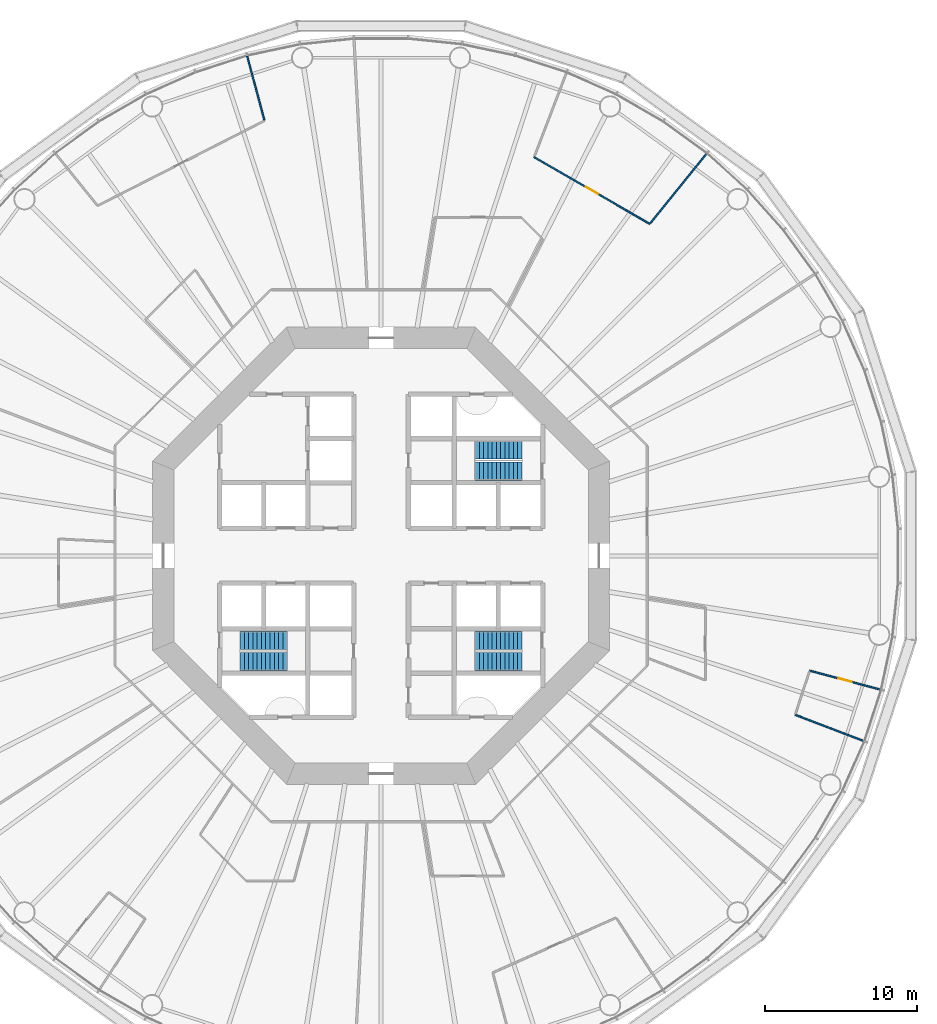
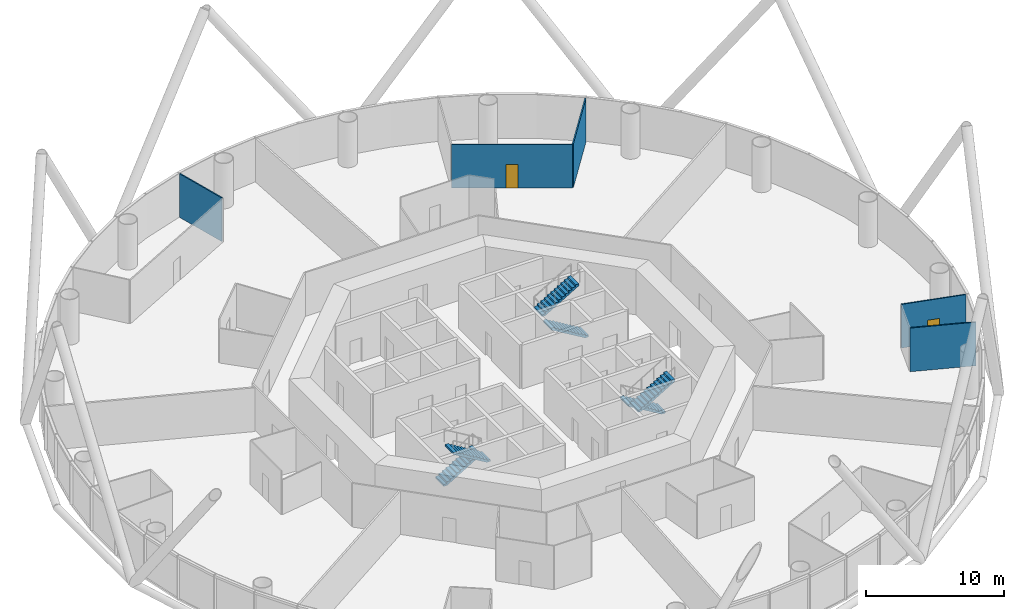
# One storey, part 6 of 13: 6 stair flights, 5 walls, 2 doors, 2 openings, 3 elements without a shape of their own.
"""IFC4 building model written with IfcOpenShell, lengths in metres."""

from ifc_helpers import new_model, si_unit, direction, frame, frame_2d, origin, place, context, subcontext, project, spatial, polyline, rectangle, outline, extrude, material, layer, layer_set, type_object, element, fill, aggregate, save


model = new_model("IFC4")

# Units and contexts
model_context = context("Model", 3, precision=1e-05, world=origin(), true_north=direction((0.0, 1.0)))
body_context = subcontext(model_context, "Body", "Model", "MODEL_VIEW")
ifc_project = project(units=[si_unit("LENGTHUNIT", "METRE"), si_unit("AREAUNIT", "SQUARE_METRE"), si_unit("VOLUMEUNIT", "CUBIC_METRE"), si_unit("PLANEANGLEUNIT", "RADIAN"), si_unit("MASSUNIT", "GRAM", prefix="KILO")], contexts=[model_context])

# Site, building, storey
site_placement = place(None, origin())
site = spatial("IfcSite", under=ifc_project, at=site_placement, CompositionType="ELEMENT")
building_placement = place(site_placement, origin())
building = spatial("IfcBuilding", under=site, at=building_placement, Name="Entoto Ring Tower", CompositionType="ELEMENT")
storey_placement = place(building_placement, frame((0.0, 0.0, 38.0)))
storey = spatial("IfcBuildingStorey", under=building, at=storey_placement, Name="L07", CompositionType="ELEMENT", Elevation=38.0)

# Wall, opening, door
ifc_material_1 = material(Name="Plasterboard on steel studs", Category="steel")
ifc_layer = layer(ifc_material_1, 0.10009765625)
ifc_layer_set = layer_set([ifc_layer], Name="Plasterboard on steel studs")
wall_type = type_object("IfcWallType", Name="Partition 100 mm plasterboard on steel studs", PredefinedType="PARTITIONING", material=ifc_layer_set)
wall_1_placement = place(storey_placement, frame((107.639892578125, 101.783447265625, 0.0), z_axis=(0.0, 0.0, 1.0), x_axis=(-0.86602796149, 0.499995569897, 0.0)))
wall_1 = element("IfcWall", 1, at=wall_1_placement, inside=storey, type_object=wall_type, Name="partition-L07-017", PredefinedType="PARTITIONING", context=body_context, shape_type="SweptSolid", body=[
    extrude(rectangle(XDim=8.76953125, YDim=0.10009765625, at=frame_2d((4.384765625, 0.0))), origin(), (0.0, 0.0, 1.0), 3.85009765625),
])
opening_1_placement = place(wall_1_placement, frame((3.934814453125, 0.0, 0.0)))
opening_1 = element("IfcOpeningElement", 2, at=opening_1_placement, cuts=wall_1, Name="Opening A03-D12", PredefinedType="OPENING", context=body_context, shape_type="SweptSolid", body=[
    extrude(rectangle(XDim=0.89990234375, YDim=2.10009765625, at=frame_2d((0.449951171875, 1.050048828125))), frame((0.0, 0.06005859375, 0.0), z_axis=(0.0, -1.0, 0.0), x_axis=(1.0, 0.0, 0.0)), (0.0, 0.0, 1.0), 0.1201171875),
])
ifc_material_2 = material(Name="Veneered timber door leaf in timber frame", Category="wood")
door_type = type_object("IfcDoorType", Name="Door 900 x 2100 single leaf timber veneer", OperationType="NOTDEFINED", PredefinedType="DOOR", material=ifc_material_2)
door_1_placement = place(opening_1_placement, frame((0.89990234375, 0.0, 0.0), z_axis=(0.0, 0.0, 1.0), x_axis=(-1.0, 0.0, 0.0)))
door_1 = element("IfcDoor", 3, at=door_1_placement, inside=storey, type_object=door_type, Name="Door A03-D12", OperationType="SINGLE_SWING_RIGHT", OverallHeight=2.10009765625, OverallWidth=0.89990234375, PredefinedType="DOOR", context=body_context, shape_type="SweptSolid", body=[
    extrude(rectangle(XDim=0.89990234375, YDim=2.10009765625, at=frame_2d((0.449951171875, 1.050048828125))), frame((0.0, 0.02490234375, 0.0), z_axis=(0.0, -1.0, 0.0), x_axis=(1.0, 0.0, 0.0)), (0.0, 0.0, 1.0), 0.050048828125),
])
fill(opening_1, door_1)

# Wall
wall_2_placement = place(storey_placement, frame((107.6708984375, 101.82177734375, 0.0), z_axis=(0.0, 0.0, 1.0), x_axis=(0.629332439012, 0.777136205055, 0.0)))
element("IfcWall", 4, at=wall_2_placement, inside=storey, type_object=wall_type, Name="partition-L07-019", PredefinedType="PARTITIONING", context=body_context, shape_type="SweptSolid", body=[
    extrude(rectangle(XDim=5.860595703125, YDim=0.10009765625, at=frame_2d((2.93017578125, 0.0))), origin(), (0.0, 0.0, 1.0), 3.85009765625),
])

# Wall, opening, door
wall_3_placement = place(storey_placement, frame((122.783447265625, 71.2158203125, 0.0), z_axis=(0.0, 0.0, 1.0), x_axis=(-0.965935843283, 0.258781658277, 0.0)))
wall_3 = element("IfcWall", 5, at=wall_3_placement, inside=storey, type_object=wall_type, Name="partition-L07-026", PredefinedType="PARTITIONING", context=body_context, shape_type="SweptSolid", body=[
    extrude(rectangle(XDim=4.820068359375, YDim=0.10009765625, at=frame_2d((2.41015625, 0.0))), origin(), (0.0, 0.0, 1.0), 3.85009765625),
])
opening_2_placement = place(wall_3_placement, frame((1.9599609375, 0.0, 0.0)))
opening_2 = element("IfcOpeningElement", 6, at=opening_2_placement, cuts=wall_3, Name="Opening A03-D09", PredefinedType="OPENING", context=body_context, shape_type="SweptSolid", body=[
    extrude(rectangle(XDim=0.89990234375, YDim=2.10009765625, at=frame_2d((0.449951171875, 1.050048828125))), frame((0.0, 0.06005859375, 0.0), z_axis=(0.0, -1.0, 0.0), x_axis=(1.0, 0.0, 0.0)), (0.0, 0.0, 1.0), 0.1201171875),
])
door_2_placement = place(opening_2_placement, origin())
door_2 = element("IfcDoor", 7, at=door_2_placement, inside=storey, type_object=door_type, Name="Door A03-D09", OperationType="SINGLE_SWING_LEFT", OverallHeight=2.10009765625, OverallWidth=0.89990234375, PredefinedType="DOOR", context=body_context, shape_type="SweptSolid", body=[
    extrude(rectangle(XDim=0.89990234375, YDim=2.10009765625, at=frame_2d((0.449951171875, 1.050048828125))), frame((0.0, 0.02490234375, 0.0), z_axis=(0.0, -1.0, 0.0), x_axis=(1.0, 0.0, 0.0)), (0.0, 0.0, 1.0), 0.050048828125),
])
fill(opening_2, door_2)

# Walls
wall_4_placement = place(storey_placement, frame((121.685791015625, 67.8369140625, 0.0), z_axis=(0.0, 0.0, 1.0), x_axis=(-0.933586897857, 0.358351090622, 0.0)))
element("IfcWall", 8, at=wall_4_placement, inside=storey, type_object=wall_type, Name="partition-L07-027", PredefinedType="PARTITIONING", context=body_context, shape_type="SweptSolid", body=[
    extrude(rectangle(XDim=4.820068359375, YDim=0.10009765625, at=frame_2d((2.41015625, 0.0))), origin(), (0.0, 0.0, 1.0), 3.85009765625),
])
wall_5_placement = place(storey_placement, frame((82.336669921875, 108.599853515625, 0.0), z_axis=(0.0, 0.0, 1.0), x_axis=(-0.258788679969, 0.96593396209, 0.0)))
element("IfcWall", 9, at=wall_5_placement, inside=storey, type_object=wall_type, Name="partition-L07-037", PredefinedType="PARTITIONING", context=body_context, shape_type="SweptSolid", body=[
    extrude(rectangle(XDim=4.3310546875, YDim=0.10009765625, at=frame_2d((2.16552734375, 0.0))), origin(), (0.0, 0.0, 1.0), 3.85009765625),
])

# Stair, stair flights
ifc_material_3 = material(Name="Concrete C40/50", Category="concrete")
stair_type = type_object("IfcStairType", Name="Exit stair 1200 mm dog-leg reinforced concrete", PredefinedType="HALF_TURN_STAIR", material=ifc_material_3)
stair_1_placement = place(storey_placement, origin())
stair_1 = element("IfcStair", 10, at=stair_1_placement, inside=storey, type_object=stair_type, Name="Exit stair 1", PredefinedType="HALF_TURN_STAIR")
ifc_material_4 = material(Name="Concrete C40/50", Category="concrete")
stair_flight_type = type_object("IfcStairFlightType", Name="Stair flight 1200 mm reinforced concrete", PredefinedType="STRAIGHT", material=ifc_material_4)
stair_flight_1_placement = place(storey_placement, frame((99.25, 85.550048828125, 0.0), z_axis=(0.0, 0.0, 1.0), x_axis=(-1.0, 0.0, 0.0)))
stair_flight_1 = element("IfcStairFlight", 11, at=stair_flight_1_placement, type_object=stair_flight_type, Name="ST1 flight 1", NumberOfRisers=12, NumberOfTreads=11, PredefinedType="STRAIGHT", RiserHeight=0.166666667, TreadLength=0.28, context=body_context, shape_type="SweptSolid", body=[
    extrude(outline(polyline([(0.0, 0.0), (0.0, 0.166748046875), (0.280029296875, 0.166748046875), (0.280029296875, 0.333251953125), (0.56005859375, 0.333251953125), (0.56005859375, 0.5), (0.840087890625, 0.5), (0.840087890625, 0.666748046875), (1.1201171875, 0.666748046875), (1.1201171875, 0.833251953125), (1.39990234375, 0.833251953125), (1.39990234375, 1.0), (1.679931640625, 1.0), (1.679931640625, 1.166748046875), (1.9599609375, 1.166748046875), (1.9599609375, 1.333251953125), (2.239990234375, 1.333251953125), (2.239990234375, 1.5), (2.52001953125, 1.5), (2.52001953125, 1.666748046875), (2.800048828125, 1.666748046875), (2.800048828125, 1.833251953125), (3.080078125, 1.833251953125), (3.080078125, 2.0), (3.080078125, 1.658935546875), (0.29296875, 0.0), (0.0, 0.0)])), frame((0.0, 0.60009765625, 0.0), z_axis=(0.0, -1.0, 0.0), x_axis=(1.0, 0.0, 0.0)), (0.0, 0.0, 1.0), 1.199951171875),
])
stair_flight_2_placement = place(storey_placement, frame((96.169921875, 86.949951171875, 2.0), z_axis=(0.0, 0.0, 1.0), x_axis=(1.0, 0.0, 0.0)))
stair_flight_2 = element("IfcStairFlight", 12, at=stair_flight_2_placement, type_object=stair_flight_type, Name="ST1 flight 2", NumberOfRisers=12, NumberOfTreads=11, PredefinedType="STRAIGHT", RiserHeight=0.166666667, TreadLength=0.28, context=body_context, shape_type="SweptSolid", body=[
    extrude(outline(polyline([(0.0, 0.0), (0.0, 0.166748046875), (0.280029296875, 0.166748046875), (0.280029296875, 0.333251953125), (0.56005859375, 0.333251953125), (0.56005859375, 0.5), (0.840087890625, 0.5), (0.840087890625, 0.666748046875), (1.1201171875, 0.666748046875), (1.1201171875, 0.833251953125), (1.39990234375, 0.833251953125), (1.39990234375, 1.0), (1.679931640625, 1.0), (1.679931640625, 1.166748046875), (1.9599609375, 1.166748046875), (1.9599609375, 1.333251953125), (2.239990234375, 1.333251953125), (2.239990234375, 1.5), (2.52001953125, 1.5), (2.52001953125, 1.666748046875), (2.800048828125, 1.666748046875), (2.800048828125, 1.833251953125), (3.080078125, 1.833251953125), (3.080078125, 2.0), (3.080078125, 1.658935546875), (0.29296875, 0.0), (0.0, 0.0)])), frame((0.0, 0.60009765625, 0.0), z_axis=(0.0, -1.0, 0.0), x_axis=(1.0, 0.0, 0.0)), (0.0, 0.0, 1.0), 1.199951171875),
])
aggregate(stair_1, [stair_flight_1, stair_flight_2])

stair_2_placement = place(storey_placement, origin())
stair_2 = element("IfcStair", 13, at=stair_2_placement, inside=storey, type_object=stair_type, Name="Exit stair 2", PredefinedType="HALF_TURN_STAIR")
stair_flight_3_placement = place(storey_placement, frame((80.75, 74.449951171875, 0.0), z_axis=(0.0, 0.0, 1.0), x_axis=(1.0, 0.0, 0.0)))
stair_flight_3 = element("IfcStairFlight", 14, at=stair_flight_3_placement, type_object=stair_flight_type, Name="ST2 flight 1", NumberOfRisers=12, NumberOfTreads=11, PredefinedType="STRAIGHT", RiserHeight=0.166666667, TreadLength=0.28, context=body_context, shape_type="SweptSolid", body=[
    extrude(outline(polyline([(0.0, 0.0), (0.0, 0.166748046875), (0.280029296875, 0.166748046875), (0.280029296875, 0.333251953125), (0.56005859375, 0.333251953125), (0.56005859375, 0.5), (0.840087890625, 0.5), (0.840087890625, 0.666748046875), (1.1201171875, 0.666748046875), (1.1201171875, 0.833251953125), (1.39990234375, 0.833251953125), (1.39990234375, 1.0), (1.679931640625, 1.0), (1.679931640625, 1.166748046875), (1.9599609375, 1.166748046875), (1.9599609375, 1.333251953125), (2.239990234375, 1.333251953125), (2.239990234375, 1.5), (2.52001953125, 1.5), (2.52001953125, 1.666748046875), (2.800048828125, 1.666748046875), (2.800048828125, 1.833251953125), (3.080078125, 1.833251953125), (3.080078125, 2.0), (3.080078125, 1.658935546875), (0.29296875, 0.0), (0.0, 0.0)])), frame((0.0, 0.60009765625, 0.0), z_axis=(0.0, -1.0, 0.0), x_axis=(1.0, 0.0, 0.0)), (0.0, 0.0, 1.0), 1.199951171875),
])
stair_flight_4_placement = place(storey_placement, frame((83.830078125, 73.050048828125, 2.0), z_axis=(0.0, 0.0, 1.0), x_axis=(-1.0, 0.0, 0.0)))
stair_flight_4 = element("IfcStairFlight", 15, at=stair_flight_4_placement, type_object=stair_flight_type, Name="ST2 flight 2", NumberOfRisers=12, NumberOfTreads=11, PredefinedType="STRAIGHT", RiserHeight=0.166666667, TreadLength=0.28, context=body_context, shape_type="SweptSolid", body=[
    extrude(outline(polyline([(0.0, 0.0), (0.0, 0.166748046875), (0.280029296875, 0.166748046875), (0.280029296875, 0.333251953125), (0.56005859375, 0.333251953125), (0.56005859375, 0.5), (0.840087890625, 0.5), (0.840087890625, 0.666748046875), (1.1201171875, 0.666748046875), (1.1201171875, 0.833251953125), (1.39990234375, 0.833251953125), (1.39990234375, 1.0), (1.679931640625, 1.0), (1.679931640625, 1.166748046875), (1.9599609375, 1.166748046875), (1.9599609375, 1.333251953125), (2.239990234375, 1.333251953125), (2.239990234375, 1.5), (2.52001953125, 1.5), (2.52001953125, 1.666748046875), (2.800048828125, 1.666748046875), (2.800048828125, 1.833251953125), (3.080078125, 1.833251953125), (3.080078125, 2.0), (3.080078125, 1.658935546875), (0.29296875, 0.0), (0.0, 0.0)])), frame((0.0, 0.60009765625, 0.0), z_axis=(0.0, -1.0, 0.0), x_axis=(1.0, 0.0, 0.0)), (0.0, 0.0, 1.0), 1.199951171875),
])
aggregate(stair_2, [stair_flight_3, stair_flight_4])

stair_3_placement = place(storey_placement, origin())
stair_3 = element("IfcStair", 16, at=stair_3_placement, inside=storey, type_object=stair_type, Name="Exit stair 3", PredefinedType="HALF_TURN_STAIR")
stair_flight_5_placement = place(storey_placement, frame((99.25, 74.449951171875, 0.0), z_axis=(0.0, 0.0, 1.0), x_axis=(-1.0, 0.0, 0.0)))
stair_flight_5 = element("IfcStairFlight", 17, at=stair_flight_5_placement, type_object=stair_flight_type, Name="ST3 flight 1", NumberOfRisers=12, NumberOfTreads=11, PredefinedType="STRAIGHT", RiserHeight=0.166666667, TreadLength=0.28, context=body_context, shape_type="SweptSolid", body=[
    extrude(outline(polyline([(0.0, 0.0), (0.0, 0.166748046875), (0.280029296875, 0.166748046875), (0.280029296875, 0.333251953125), (0.56005859375, 0.333251953125), (0.56005859375, 0.5), (0.840087890625, 0.5), (0.840087890625, 0.666748046875), (1.1201171875, 0.666748046875), (1.1201171875, 0.833251953125), (1.39990234375, 0.833251953125), (1.39990234375, 1.0), (1.679931640625, 1.0), (1.679931640625, 1.166748046875), (1.9599609375, 1.166748046875), (1.9599609375, 1.333251953125), (2.239990234375, 1.333251953125), (2.239990234375, 1.5), (2.52001953125, 1.5), (2.52001953125, 1.666748046875), (2.800048828125, 1.666748046875), (2.800048828125, 1.833251953125), (3.080078125, 1.833251953125), (3.080078125, 2.0), (3.080078125, 1.658935546875), (0.29296875, 0.0), (0.0, 0.0)])), frame((0.0, 0.60009765625, 0.0), z_axis=(0.0, -1.0, 0.0), x_axis=(1.0, 0.0, 0.0)), (0.0, 0.0, 1.0), 1.199951171875),
])
stair_flight_6_placement = place(storey_placement, frame((96.169921875, 73.050048828125, 2.0), z_axis=(0.0, 0.0, 1.0), x_axis=(1.0, 0.0, 0.0)))
stair_flight_6 = element("IfcStairFlight", 18, at=stair_flight_6_placement, type_object=stair_flight_type, Name="ST3 flight 2", NumberOfRisers=12, NumberOfTreads=11, PredefinedType="STRAIGHT", RiserHeight=0.166666667, TreadLength=0.28, context=body_context, shape_type="SweptSolid", body=[
    extrude(outline(polyline([(0.0, 0.0), (0.0, 0.166748046875), (0.280029296875, 0.166748046875), (0.280029296875, 0.333251953125), (0.56005859375, 0.333251953125), (0.56005859375, 0.5), (0.840087890625, 0.5), (0.840087890625, 0.666748046875), (1.1201171875, 0.666748046875), (1.1201171875, 0.833251953125), (1.39990234375, 0.833251953125), (1.39990234375, 1.0), (1.679931640625, 1.0), (1.679931640625, 1.166748046875), (1.9599609375, 1.166748046875), (1.9599609375, 1.333251953125), (2.239990234375, 1.333251953125), (2.239990234375, 1.5), (2.52001953125, 1.5), (2.52001953125, 1.666748046875), (2.800048828125, 1.666748046875), (2.800048828125, 1.833251953125), (3.080078125, 1.833251953125), (3.080078125, 2.0), (3.080078125, 1.658935546875), (0.29296875, 0.0), (0.0, 0.0)])), frame((0.0, 0.60009765625, 0.0), z_axis=(0.0, -1.0, 0.0), x_axis=(1.0, 0.0, 0.0)), (0.0, 0.0, 1.0), 1.199951171875),
])
aggregate(stair_3, [stair_flight_5, stair_flight_6])

save(model, "model.ifc")
